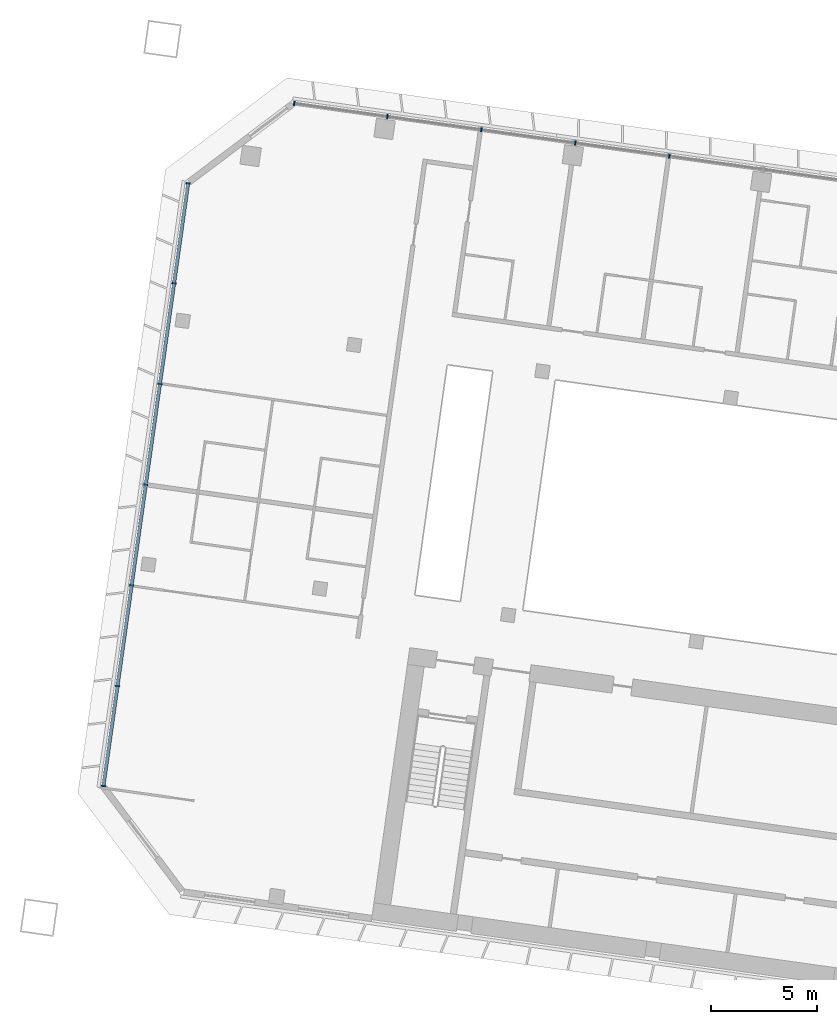
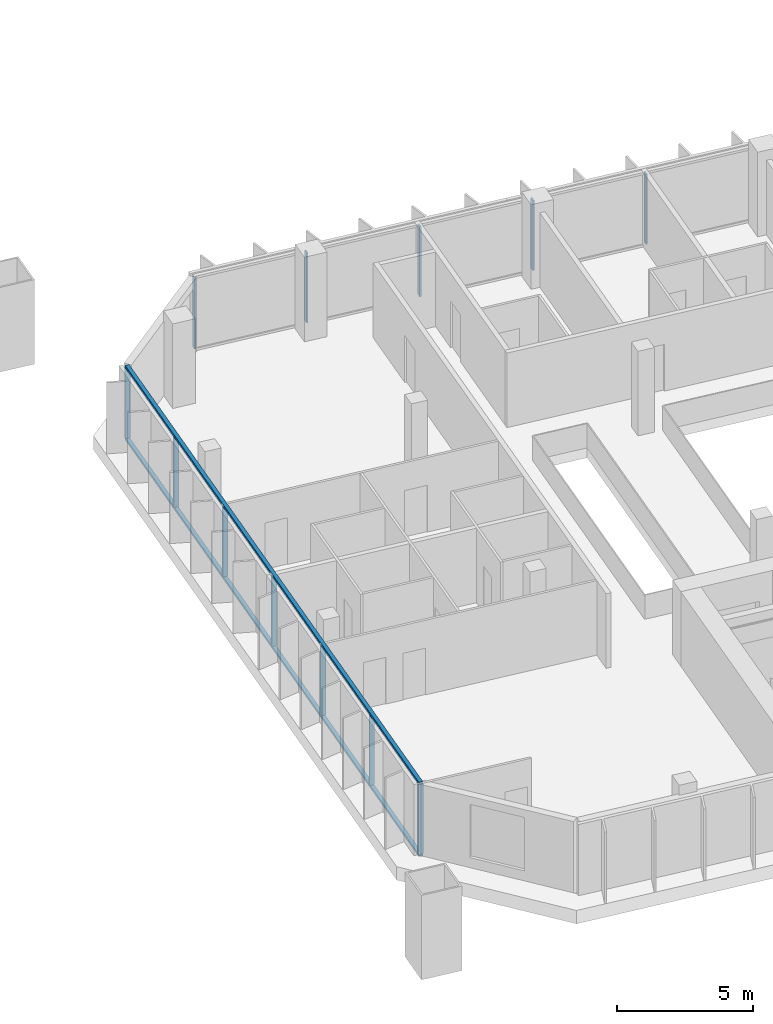
# One storey, part 2 of 26: 14 members, 2 elements without a shape of their own.
"""IFC4 building model written with IfcOpenShell, lengths in metres."""

from ifc_helpers import new_model, si_unit, direction, frame, origin, origin_2d, place, context, subcontext, project, spatial, rectangle, extrude, material, material_profile, profile_set, type_object, element, aggregate, save


model = new_model("IFC4")

# Units and contexts
model_context = context("Model", 3, precision=1e-05, world=origin(), true_north=direction((0.0, 1.0)))
body_context = subcontext(model_context, "Body", "Model", "MODEL_VIEW")
ifc_project = project(units=[si_unit("LENGTHUNIT", "METRE"), si_unit("AREAUNIT", "SQUARE_METRE"), si_unit("VOLUMEUNIT", "CUBIC_METRE"), si_unit("PLANEANGLEUNIT", "RADIAN"), si_unit("MASSUNIT", "GRAM", prefix="KILO")], contexts=[model_context])

# Site, building, storey
site_placement = place(None, origin())
site = spatial("IfcSite", under=ifc_project, at=site_placement, CompositionType="ELEMENT")
building_placement = place(site_placement, origin())
building = spatial("IfcBuilding", under=site, at=building_placement, Name="Mirante Cascada Hotel Towers", CompositionType="ELEMENT")
storey_placement = place(building_placement, frame((0.0, 0.0, 106.3)))
storey = spatial("IfcBuildingStorey", under=building, at=storey_placement, Name="L23", CompositionType="ELEMENT", Elevation=106.3)

# Curtain wall, members
ifc_material_1 = material(Name="Aluminium mullion and transom frame with clear laminated glass", Category="aluminium")
curtain_wall_type_1 = type_object("IfcCurtainWallType", Name="Ribbon curtain wall ECW1", PredefinedType="NOTDEFINED", material=ifc_material_1)
curtain_wall_1_placement = place(storey_placement, origin())
curtain_wall_1 = element("IfcCurtainWall", 1, at=curtain_wall_1_placement, inside=storey, type_object=curtain_wall_type_1, Name="Front ribbon wall T1 L23", PredefinedType="NOTDEFINED")
ifc_material_2 = material(Name="Anodised aluminium extrusion", Category="aluminium")
ifc_material_profile_1 = material_profile(ifc_material_2, rectangle(XDim=0.2, YDim=0.065, at=origin_2d()), Name="ECW1 MULLION 65x200")
ifc_profile_set_1 = profile_set([ifc_material_profile_1], Name="Anodised aluminium extrusion")
member_type_1 = type_object("IfcMemberType", Name="ECW1 mullion 65x200", PredefinedType="MULLION", material=ifc_profile_set_1)
member_1_placement = place(storey_placement, frame((-94.126, 26.0476, 0.1), z_axis=(0.0, 0.0, 1.0), x_axis=(0.1391731, 0.9902681, 0.0)))
member_1 = element("IfcMember", 2, at=member_1_placement, type_object=member_type_1, Name="ECW1 mullion 1", PredefinedType="MULLION", context=body_context, shape_type="SweptSolid", body=[
    extrude(rectangle(XDim=0.2, YDim=0.065, at=origin_2d()), origin(), (0.0, 0.0, 1.0), 3.15),
])
member_2_placement = place(storey_placement, frame((-89.7107, 25.427, 0.1), z_axis=(0.0, 0.0, 1.0), x_axis=(0.1391731, 0.9902681, 0.0)))
member_2 = element("IfcMember", 3, at=member_2_placement, type_object=member_type_1, Name="ECW1 mullion 2", PredefinedType="MULLION", context=body_context, shape_type="SweptSolid", body=[
    extrude(rectangle(XDim=0.2, YDim=0.065, at=origin_2d()), origin(), (0.0, 0.0, 1.0), 3.15),
])
member_3_placement = place(storey_placement, frame((-85.2633, 24.802, 0.1), z_axis=(0.0, 0.0, 1.0), x_axis=(0.1391731, 0.9902681, 0.0)))
member_3 = element("IfcMember", 4, at=member_3_placement, type_object=member_type_1, Name="ECW1 mullion 3", PredefinedType="MULLION", context=body_context, shape_type="SweptSolid", body=[
    extrude(rectangle(XDim=0.2, YDim=0.065, at=origin_2d()), origin(), (0.0, 0.0, 1.0), 3.15),
])
member_4_placement = place(storey_placement, frame((-80.8159, 24.177, 0.1), z_axis=(0.0, 0.0, 1.0), x_axis=(0.1391731, 0.9902681, 0.0)))
member_4 = element("IfcMember", 5, at=member_4_placement, type_object=member_type_1, Name="ECW1 mullion 4", PredefinedType="MULLION", context=body_context, shape_type="SweptSolid", body=[
    extrude(rectangle(XDim=0.2, YDim=0.065, at=origin_2d()), origin(), (0.0, 0.0, 1.0), 3.15),
])
member_5_placement = place(storey_placement, frame((-76.3685, 23.5519, 0.1), z_axis=(0.0, 0.0, 1.0), x_axis=(0.1391731, 0.9902681, 0.0)))
member_5 = element("IfcMember", 6, at=member_5_placement, type_object=member_type_1, Name="ECW1 mullion 5", PredefinedType="MULLION", context=body_context, shape_type="SweptSolid", body=[
    extrude(rectangle(XDim=0.2, YDim=0.065, at=origin_2d()), origin(), (0.0, 0.0, 1.0), 3.15),
])
aggregate(curtain_wall_1, [member_1, member_2, member_3, member_4, member_5])

ifc_material_3 = material(Name="Aluminium mullion and transom frame with clear laminated glass", Category="aluminium")
curtain_wall_type_2 = type_object("IfcCurtainWallType", Name="End ribbon curtain wall ECW2", PredefinedType="NOTDEFINED", material=ifc_material_3)
curtain_wall_2_placement = place(storey_placement, origin())
curtain_wall_2 = element("IfcCurtainWall", 7, at=curtain_wall_2_placement, inside=storey, type_object=curtain_wall_type_2, Name="Outer end wall T1 L23", PredefinedType="NOTDEFINED")
ifc_material_4 = material(Name="Anodised aluminium extrusion", Category="aluminium")
ifc_material_profile_2 = material_profile(ifc_material_4, rectangle(XDim=0.2, YDim=0.065, at=origin_2d()), Name="ECW2 MULLION 65x200")
ifc_profile_set_2 = profile_set([ifc_material_profile_2], Name="Anodised aluminium extrusion")
member_type_2 = type_object("IfcMemberType", Name="ECW2 mullion 65x200", PredefinedType="MULLION", material=ifc_profile_set_2)
member_6_placement = place(storey_placement, frame((-103.1556, -6.2656, 0.1), z_axis=(0.0, 0.0, 1.0), x_axis=(-0.9902681, 0.1391731, 0.0)))
member_6 = element("IfcMember", 8, at=member_6_placement, type_object=member_type_2, Name="ECW2 mullion 1", PredefinedType="MULLION", context=body_context, shape_type="SweptSolid", body=[
    extrude(rectangle(XDim=0.2, YDim=0.065, at=origin_2d()), origin(), (0.0, 0.0, 1.0), 3.15),
])
member_7_placement = place(storey_placement, frame((-102.4903, -1.532, 0.1), z_axis=(0.0, 0.0, 1.0), x_axis=(-0.9902681, 0.1391731, 0.0)))
member_7 = element("IfcMember", 9, at=member_7_placement, type_object=member_type_2, Name="ECW2 mullion 2", PredefinedType="MULLION", context=body_context, shape_type="SweptSolid", body=[
    extrude(rectangle(XDim=0.2, YDim=0.065, at=origin_2d()), origin(), (0.0, 0.0, 1.0), 3.15),
])
member_8_placement = place(storey_placement, frame((-101.8205, 3.2338, 0.1), z_axis=(0.0, 0.0, 1.0), x_axis=(-0.9902681, 0.1391731, 0.0)))
member_8 = element("IfcMember", 10, at=member_8_placement, type_object=member_type_2, Name="ECW2 mullion 3", PredefinedType="MULLION", context=body_context, shape_type="SweptSolid", body=[
    extrude(rectangle(XDim=0.2, YDim=0.065, at=origin_2d()), origin(), (0.0, 0.0, 1.0), 3.15),
])
member_9_placement = place(storey_placement, frame((-101.1508, 7.9996, 0.1), z_axis=(0.0, 0.0, 1.0), x_axis=(-0.9902681, 0.1391731, 0.0)))
member_9 = element("IfcMember", 11, at=member_9_placement, type_object=member_type_2, Name="ECW2 mullion 4", PredefinedType="MULLION", context=body_context, shape_type="SweptSolid", body=[
    extrude(rectangle(XDim=0.2, YDim=0.065, at=origin_2d()), origin(), (0.0, 0.0, 1.0), 3.15),
])
member_10_placement = place(storey_placement, frame((-100.481, 12.7654, 0.1), z_axis=(0.0, 0.0, 1.0), x_axis=(-0.9902681, 0.1391731, 0.0)))
member_10 = element("IfcMember", 12, at=member_10_placement, type_object=member_type_2, Name="ECW2 mullion 5", PredefinedType="MULLION", context=body_context, shape_type="SweptSolid", body=[
    extrude(rectangle(XDim=0.2, YDim=0.065, at=origin_2d()), origin(), (0.0, 0.0, 1.0), 3.15),
])
member_11_placement = place(storey_placement, frame((-99.8112, 17.5312, 0.1), z_axis=(0.0, 0.0, 1.0), x_axis=(-0.9902681, 0.1391731, 0.0)))
member_11 = element("IfcMember", 13, at=member_11_placement, type_object=member_type_2, Name="ECW2 mullion 6", PredefinedType="MULLION", context=body_context, shape_type="SweptSolid", body=[
    extrude(rectangle(XDim=0.2, YDim=0.065, at=origin_2d()), origin(), (0.0, 0.0, 1.0), 3.15),
])
member_12_placement = place(storey_placement, frame((-99.1459, 22.2648, 0.1), z_axis=(0.0, 0.0, 1.0), x_axis=(-0.9902681, 0.1391731, 0.0)))
member_12 = element("IfcMember", 14, at=member_12_placement, type_object=member_type_2, Name="ECW2 mullion 7", PredefinedType="MULLION", context=body_context, shape_type="SweptSolid", body=[
    extrude(rectangle(XDim=0.2, YDim=0.065, at=origin_2d()), origin(), (0.0, 0.0, 1.0), 3.15),
])
ifc_material_5 = material(Name="Anodised aluminium extrusion", Category="aluminium")
ifc_material_profile_3 = material_profile(ifc_material_5, rectangle(XDim=0.16, YDim=0.1, at=origin_2d()), Name="ECW2 TRANSOM 100x160")
ifc_profile_set_3 = profile_set([ifc_material_profile_3], Name="Anodised aluminium extrusion")
member_type_3 = type_object("IfcMemberType", Name="ECW2 transom 100x160", PredefinedType="USERDEFINED", material=ifc_profile_set_3)
member_13_placement = place(storey_placement, frame((-103.1601, -6.2978, 0.05), z_axis=(0.1391723, 0.9902682, 0.0), x_axis=(-0.9902682, 0.1391723, 0.0)))
member_13 = element("IfcMember", 15, at=member_13_placement, type_object=member_type_3, Name="ECW2 sill transom", ObjectType="TRANSOM", PredefinedType="USERDEFINED", context=body_context, shape_type="SweptSolid", body=[
    extrude(rectangle(XDim=0.16, YDim=0.1, at=origin_2d()), origin(), (0.0, 0.0, 1.0), 28.8757),
])
member_14_placement = place(storey_placement, frame((-103.1601, -6.2978, 3.3), z_axis=(0.1391723, 0.9902682, 0.0), x_axis=(-0.9902682, 0.1391723, 0.0)))
member_14 = element("IfcMember", 16, at=member_14_placement, type_object=member_type_3, Name="ECW2 head transom", ObjectType="TRANSOM", PredefinedType="USERDEFINED", context=body_context, shape_type="SweptSolid", body=[
    extrude(rectangle(XDim=0.16, YDim=0.1, at=origin_2d()), origin(), (0.0, 0.0, 1.0), 28.8757),
])
aggregate(curtain_wall_2, [member_13, member_14, member_6, member_7, member_8, member_9, member_10, member_11, member_12])

save(model, "model.ifc")
